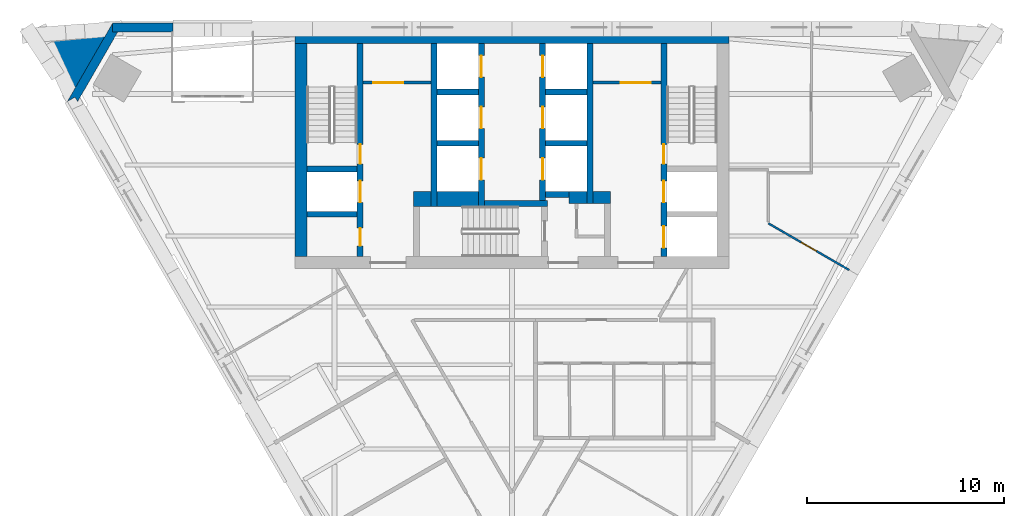
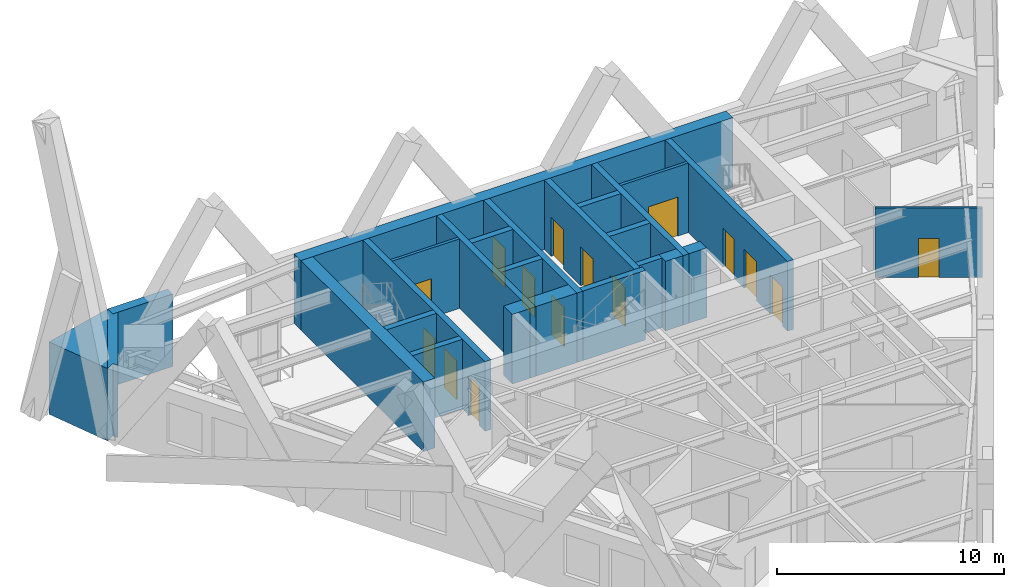
# One storey, part 6 of 9: 26 walls, 15 doors, 15 openings.
"""IFC4 building model written with IfcOpenShell, lengths in metres."""

from ifc_helpers import new_model, si_unit, direction, frame, frame_2d, origin, place, context, subcontext, project, spatial, polyline, rectangle, outline, extrude, material, layer, layer_set, type_object, element, fill, save


model = new_model("IFC4")

# Units and contexts
model_context = context("Model", 3, precision=1e-05, world=origin(), true_north=direction((0.0, 1.0)))
body_context = subcontext(model_context, "Body", "Model", "MODEL_VIEW")
ifc_project = project(units=[si_unit("LENGTHUNIT", "METRE"), si_unit("AREAUNIT", "SQUARE_METRE"), si_unit("VOLUMEUNIT", "CUBIC_METRE"), si_unit("PLANEANGLEUNIT", "RADIAN"), si_unit("MASSUNIT", "GRAM", prefix="KILO")], contexts=[model_context])

# Site, building, storey
site_placement = place(None, origin())
site = spatial("IfcSite", under=ifc_project, at=site_placement, CompositionType="ELEMENT")
building_placement = place(site_placement, origin())
building = spatial("IfcBuilding", under=site, at=building_placement, Name="Aloe Facet Convention Tower", CompositionType="ELEMENT")
storey_placement = place(building_placement, frame((0.0, 0.0, 144.199951171875)))
storey = spatial("IfcBuildingStorey", under=building, at=storey_placement, Name="L36", CompositionType="ELEMENT", Elevation=144.199951171875)

# Wall, opening, door
ifc_material_1 = material(Name="Concrete blockwork partition", Category="masonry")
ifc_layer_1 = layer(ifc_material_1, 0.14990234375)
ifc_layer_set_1 = layer_set([ifc_layer_1], Name="CR-W-PART150")
wall_type_1 = type_object("IfcWallType", Name="CR-W-PART150", PredefinedType="PARTITIONING", material=ifc_layer_set_1)
wall_1_placement = place(storey_placement, frame((72.449951171875, 131.97509765625, 0.0), z_axis=(0.0, 0.0, 1.0), x_axis=(1.0, 0.0, 0.0)))
wall_1 = element("IfcWall", 1, at=wall_1_placement, inside=storey, type_object=wall_type_1, Name="Core partition L36-007", PredefinedType="PARTITIONING", context=body_context, shape_type="SweptSolid", body=[
    extrude(rectangle(XDim=3.449951171875, YDim=0.14990234375, at=frame_2d((1.72509765625, 0.0))), origin(), (0.0, 0.0, 1.0), 3.75),
])
opening_1_placement = place(wall_1_placement, frame((0.52490234375, 0.0, 0.0)))
opening_1 = element("IfcOpeningElement", 2, at=opening_1_placement, cuts=wall_1, Name="Opening L36-CD14", PredefinedType="OPENING", context=body_context, shape_type="SweptSolid", body=[
    extrude(rectangle(XDim=1.5, YDim=2.10009765625, at=frame_2d((0.75, 1.050048828125))), frame((0.0, 0.0849609375, 0.0), z_axis=(0.0, -1.0, 0.0), x_axis=(1.0, 0.0, 0.0)), (0.0, 0.0, 1.0), 0.169921875),
])
ifc_material_2 = material(Name="Steel fire-resisting door set FD60", Category="steel")
door_type_1 = type_object("IfcDoorType", Name="CR-D-REFUGE-1500-FD60-DD", OperationType="DOUBLE_DOOR_DOUBLE_SWING", PredefinedType="DOOR", material=ifc_material_2)
door_1_placement = place(opening_1_placement, origin())
door_1 = element("IfcDoor", 3, at=door_1_placement, inside=storey, type_object=door_type_1, Name="Core door L36-CD14", OperationType="DOUBLE_DOOR_DOUBLE_SWING", OverallHeight=2.10009765625, OverallWidth=1.5, PredefinedType="DOOR", context=body_context, shape_type="SweptSolid", body=[
    extrude(rectangle(XDim=1.5, YDim=2.10009765625, at=frame_2d((0.75, 1.050048828125))), frame((0.0, 0.02490234375, 0.0), z_axis=(0.0, -1.0, 0.0), x_axis=(1.0, 0.0, 0.0)), (0.0, 0.0, 1.0), 0.050048828125),
])
fill(opening_1, door_1)

wall_2_placement = place(storey_placement, frame((84.10009765625, 131.97509765625, 0.0), z_axis=(0.0, 0.0, 1.0), x_axis=(1.0, 0.0, 0.0)))
wall_2 = element("IfcWall", 4, at=wall_2_placement, inside=storey, type_object=wall_type_1, Name="Core partition L36-025", PredefinedType="PARTITIONING", context=body_context, shape_type="SweptSolid", body=[
    extrude(rectangle(XDim=3.449951171875, YDim=0.14990234375, at=frame_2d((1.72509765625, 0.0))), origin(), (0.0, 0.0, 1.0), 3.75),
])
opening_2_placement = place(wall_2_placement, frame((1.425048828125, 0.0, 0.0)))
opening_2 = element("IfcOpeningElement", 5, at=opening_2_placement, cuts=wall_2, Name="Opening L36-CD13", PredefinedType="OPENING", context=body_context, shape_type="SweptSolid", body=[
    extrude(rectangle(XDim=1.5, YDim=2.10009765625, at=frame_2d((0.75, 1.050048828125))), frame((0.0, 0.0849609375, 0.0), z_axis=(0.0, -1.0, 0.0), x_axis=(1.0, 0.0, 0.0)), (0.0, 0.0, 1.0), 0.169921875),
])
door_2_placement = place(opening_2_placement, origin())
door_2 = element("IfcDoor", 6, at=door_2_placement, inside=storey, type_object=door_type_1, Name="Core door L36-CD13", OperationType="DOUBLE_DOOR_DOUBLE_SWING", OverallHeight=2.10009765625, OverallWidth=1.5, PredefinedType="DOOR", context=body_context, shape_type="SweptSolid", body=[
    extrude(rectangle(XDim=1.5, YDim=2.10009765625, at=frame_2d((0.75, 1.050048828125))), frame((0.0, 0.02490234375, 0.0), z_axis=(0.0, -1.0, 0.0), x_axis=(1.0, 0.0, 0.0)), (0.0, 0.0, 1.0), 0.050048828125),
])
fill(opening_2, door_2)

# Walls
ifc_material_3 = material(Name="Concrete C60/75", Category="concrete")
ifc_layer_2 = layer(ifc_material_3, 0.300048828125)
ifc_layer_set_2 = layer_set([ifc_layer_2], Name="CR-W-RC300-C6075")
wall_type_2 = type_object("IfcWallType", Name="CR-W-RC300-C6075", PredefinedType="SOLIDWALL", material=ifc_layer_set_2)
for number, where, z_axis, x_axis, name in (
    (7, (69.60009765625, 127.60009765625, 0.0), (0.0, 0.0, 1.0), (1.0, 0.0, 0.0), "Core wall L36-004"),
    (8, (69.60009765625, 125.300048828125, 0.0), (0.0, 0.0, 1.0), (1.0, 0.0, 0.0), "Core wall L36-005"),
):
    element("IfcWall", number, at=place(storey_placement, frame(where, z_axis=z_axis, x_axis=x_axis)), inside=storey, type_object=wall_type_2, Name=name, PredefinedType="SOLIDWALL", context=body_context, shape_type="SweptSolid", body=[
        extrude(rectangle(XDim=2.5498046875, YDim=0.300048828125, at=frame_2d((1.27490234375, 0.0))), origin(), (0.0, 0.0, 1.0), 3.75),
    ])

# Wall, openings, doors
wall_3_placement = place(storey_placement, frame((72.300048828125, 133.949951171875, 0.0), z_axis=(0.0, 0.0, 1.0), x_axis=(0.0, -1.0, 0.0)))
wall_3 = element("IfcWall", 9, at=wall_3_placement, inside=storey, type_object=wall_type_2, Name="Core wall L36-006", PredefinedType="SOLIDWALL", context=body_context, shape_type="SweptSolid", body=[
    extrude(rectangle(XDim=10.800048828125, YDim=0.300048828125, at=frame_2d((5.39990234375, 0.0))), origin(), (0.0, 0.0, 1.0), 3.75),
])
opening_3_placement = place(wall_3_placement, frame((6.949951171875, 0.0, 0.0)))
opening_3 = element("IfcOpeningElement", 10, at=opening_3_placement, cuts=wall_3, Name="Opening LD-FF1-L36", PredefinedType="OPENING", context=body_context, shape_type="SweptSolid", body=[
    extrude(rectangle(XDim=1.10009765625, YDim=2.10009765625, at=frame_2d((0.550048828125, 1.050048828125))), frame((0.0, 0.16015625, 0.0), z_axis=(0.0, -1.0, 0.0), x_axis=(1.0, 0.0, 0.0)), (0.0, 0.0, 1.0), 0.320068359375),
])
opening_4_placement = place(wall_3_placement, frame((9.35009765625, 0.0, 0.0)))
opening_4 = element("IfcOpeningElement", 11, at=opening_4_placement, cuts=wall_3, Name="Opening L36-CD15", PredefinedType="OPENING", context=body_context, shape_type="SweptSolid", body=[
    extrude(rectangle(XDim=0.89990234375, YDim=2.10009765625, at=frame_2d((0.449951171875, 1.050048828125))), frame((0.0, 0.16015625, 0.0), z_axis=(0.0, -1.0, 0.0), x_axis=(1.0, 0.0, 0.0)), (0.0, 0.0, 1.0), 0.320068359375),
])
opening_5_placement = place(wall_3_placement, frame((5.10009765625, 0.0, 0.0)))
opening_5 = element("IfcOpeningElement", 12, at=opening_5_placement, cuts=wall_3, Name="Opening L36-CD16", PredefinedType="OPENING", context=body_context, shape_type="SweptSolid", body=[
    extrude(rectangle(XDim=1.0, YDim=2.10009765625, at=frame_2d((0.5, 1.050048828125))), frame((0.0, 0.16015625, 0.0), z_axis=(0.0, -1.0, 0.0), x_axis=(1.0, 0.0, 0.0)), (0.0, 0.0, 1.0), 0.320068359375),
])
ifc_material_4 = material(Name="Steel fire-resisting door set FD60", Category="steel")
door_type_2 = type_object("IfcDoorType", Name="CR-D-ROOM-900-FD60-SLEFT", OperationType="SINGLE_SWING_LEFT", PredefinedType="DOOR", material=ifc_material_4)
door_3_placement = place(opening_4_placement, origin())
door_3 = element("IfcDoor", 13, at=door_3_placement, inside=storey, type_object=door_type_2, Name="Core door L36-CD15", OperationType="SINGLE_SWING_LEFT", OverallHeight=2.10009765625, OverallWidth=0.89990234375, PredefinedType="DOOR", context=body_context, shape_type="SweptSolid", body=[
    extrude(rectangle(XDim=0.89990234375, YDim=2.10009765625, at=frame_2d((0.449951171875, 1.050048828125))), frame((0.0, 0.02490234375, 0.0), z_axis=(0.0, -1.0, 0.0), x_axis=(1.0, 0.0, 0.0)), (0.0, 0.0, 1.0), 0.050048828125),
])
fill(opening_4, door_3)
ifc_material_5 = material(Name="Steel fire-resisting door set FD120", Category="steel")
door_type_3 = type_object("IfcDoorType", Name="CR-D-STAIR-1000-FD120-SRIGHT", OperationType="SINGLE_SWING_RIGHT", PredefinedType="DOOR", material=ifc_material_5)
door_4_placement = place(opening_5_placement, origin())
door_4 = element("IfcDoor", 14, at=door_4_placement, inside=storey, type_object=door_type_3, Name="Core door L36-CD16", OperationType="SINGLE_SWING_RIGHT", OverallHeight=2.10009765625, OverallWidth=1.0, PredefinedType="DOOR", context=body_context, shape_type="SweptSolid", body=[
    extrude(rectangle(XDim=1.0, YDim=2.10009765625, at=frame_2d((0.5, 1.050048828125))), frame((0.0, 0.02490234375, 0.0), z_axis=(0.0, -1.0, 0.0), x_axis=(1.0, 0.0, 0.0)), (0.0, 0.0, 1.0), 0.050048828125),
])
fill(opening_5, door_4)
ifc_material_6 = material(Name="Stainless steel sliding landing door", Category="steel")
door_type_4 = type_object("IfcDoorType", Name="CR-LD-1100-FD120-_LEFT", OperationType="SLIDING_TO_LEFT", PredefinedType="DOOR", material=ifc_material_6)
door_5_placement = place(opening_3_placement, origin())
door_5 = element("IfcDoor", 15, at=door_5_placement, inside=storey, type_object=door_type_4, Name="Landing door FF1 L36", OperationType="SLIDING_TO_LEFT", OverallHeight=2.10009765625, OverallWidth=1.10009765625, PredefinedType="DOOR", context=body_context, shape_type="SweptSolid", body=[
    extrude(rectangle(XDim=1.10009765625, YDim=2.10009765625, at=frame_2d((0.550048828125, 1.050048828125))), frame((0.0, 0.02490234375, 0.0), z_axis=(0.0, -1.0, 0.0), x_axis=(1.0, 0.0, 0.0)), (0.0, 0.0, 1.0), 0.050048828125),
])
fill(opening_3, door_5)

# Walls
wall_4_placement = place(storey_placement, frame((76.050048828125, 133.949951171875, 0.0), z_axis=(0.0, 0.0, 1.0), x_axis=(0.0, -1.0, 0.0)))
element("IfcWall", 16, at=wall_4_placement, inside=storey, type_object=wall_type_2, Name="Core wall L36-010", PredefinedType="SOLIDWALL", context=body_context, shape_type="SweptSolid", body=[
    extrude(rectangle(XDim=8.25, YDim=0.300048828125, at=frame_2d((4.125, 0.0))), origin(), (0.0, 0.0, 1.0), 3.75),
])
for number, where, z_axis, x_axis, name in (
    (17, (76.199951171875, 131.5, 0.0), (0.0, 0.0, 1.0), (1.0, 0.0, 0.0), "Core wall L36-011"),
    (18, (76.199951171875, 128.89990234375, 0.0), (0.0, 0.0, 1.0), (1.0, 0.0, 0.0), "Core wall L36-012"),
):
    element("IfcWall", number, at=place(storey_placement, frame(where, z_axis=z_axis, x_axis=x_axis)), inside=storey, type_object=wall_type_2, Name=name, PredefinedType="SOLIDWALL", context=body_context, shape_type="SweptSolid", body=[
        extrude(rectangle(XDim=2.10009765625, YDim=0.300048828125, at=frame_2d((1.050048828125, 0.0))), origin(), (0.0, 0.0, 1.0), 3.75),
    ])

# Wall, openings, doors
wall_5_placement = place(storey_placement, frame((78.449951171875, 133.949951171875, 0.0), z_axis=(0.0, 0.0, 1.0), x_axis=(0.0, -1.0, 0.0)))
wall_5 = element("IfcWall", 19, at=wall_5_placement, inside=storey, type_object=wall_type_2, Name="Core wall L36-014", PredefinedType="SOLIDWALL", context=body_context, shape_type="SweptSolid", body=[
    extrude(rectangle(XDim=8.25, YDim=0.300048828125, at=frame_2d((4.125, 0.0))), origin(), (0.0, 0.0, 1.0), 3.75),
])
opening_6_placement = place(wall_5_placement, frame((0.60009765625, 0.0, 0.0)))
opening_6 = element("IfcOpeningElement", 20, at=opening_6_placement, cuts=wall_5, Name="Opening LD-B1-L36", PredefinedType="OPENING", context=body_context, shape_type="SweptSolid", body=[
    extrude(rectangle(XDim=1.10009765625, YDim=2.10009765625, at=frame_2d((0.550048828125, 1.050048828125))), frame((0.0, 0.16015625, 0.0), z_axis=(0.0, -1.0, 0.0), x_axis=(1.0, 0.0, 0.0)), (0.0, 0.0, 1.0), 0.320068359375),
])
opening_7_placement = place(wall_5_placement, frame((3.199951171875, 0.0, 0.0)))
opening_7 = element("IfcOpeningElement", 21, at=opening_7_placement, cuts=wall_5, Name="Opening LD-B2-L36", PredefinedType="OPENING", context=body_context, shape_type="SweptSolid", body=[
    extrude(rectangle(XDim=1.10009765625, YDim=2.10009765625, at=frame_2d((0.550048828125, 1.050048828125))), frame((0.0, 0.16015625, 0.0), z_axis=(0.0, -1.0, 0.0), x_axis=(1.0, 0.0, 0.0)), (0.0, 0.0, 1.0), 0.320068359375),
])
opening_8_placement = place(wall_5_placement, frame((5.800048828125, 0.0, 0.0)))
opening_8 = element("IfcOpeningElement", 22, at=opening_8_placement, cuts=wall_5, Name="Opening LD-B3-L36", PredefinedType="OPENING", context=body_context, shape_type="SweptSolid", body=[
    extrude(rectangle(XDim=1.10009765625, YDim=2.10009765625, at=frame_2d((0.550048828125, 1.050048828125))), frame((0.0, 0.16015625, 0.0), z_axis=(0.0, -1.0, 0.0), x_axis=(1.0, 0.0, 0.0)), (0.0, 0.0, 1.0), 0.320068359375),
])
ifc_material_7 = material(Name="Stainless steel sliding landing door", Category="steel")
door_type_5 = type_object("IfcDoorType", Name="CR-LD-1100-FD60-RIGHT", OperationType="SLIDING_TO_RIGHT", PredefinedType="DOOR", material=ifc_material_7)
door_6_placement = place(opening_6_placement, origin())
door_6 = element("IfcDoor", 23, at=door_6_placement, inside=storey, type_object=door_type_5, Name="Landing door B1 L36", OperationType="SLIDING_TO_RIGHT", OverallHeight=2.10009765625, OverallWidth=1.10009765625, PredefinedType="DOOR", context=body_context, shape_type="SweptSolid", body=[
    extrude(rectangle(XDim=1.10009765625, YDim=2.10009765625, at=frame_2d((0.550048828125, 1.050048828125))), frame((0.0, 0.02490234375, 0.0), z_axis=(0.0, -1.0, 0.0), x_axis=(1.0, 0.0, 0.0)), (0.0, 0.0, 1.0), 0.050048828125),
])
fill(opening_6, door_6)
door_7_placement = place(opening_7_placement, origin())
door_7 = element("IfcDoor", 24, at=door_7_placement, inside=storey, type_object=door_type_5, Name="Landing door B2 L36", OperationType="SLIDING_TO_RIGHT", OverallHeight=2.10009765625, OverallWidth=1.10009765625, PredefinedType="DOOR", context=body_context, shape_type="SweptSolid", body=[
    extrude(rectangle(XDim=1.10009765625, YDim=2.10009765625, at=frame_2d((0.550048828125, 1.050048828125))), frame((0.0, 0.02490234375, 0.0), z_axis=(0.0, -1.0, 0.0), x_axis=(1.0, 0.0, 0.0)), (0.0, 0.0, 1.0), 0.050048828125),
])
fill(opening_7, door_7)
door_8_placement = place(opening_8_placement, origin())
door_8 = element("IfcDoor", 25, at=door_8_placement, inside=storey, type_object=door_type_5, Name="Landing door B3 L36", OperationType="SLIDING_TO_RIGHT", OverallHeight=2.10009765625, OverallWidth=1.10009765625, PredefinedType="DOOR", context=body_context, shape_type="SweptSolid", body=[
    extrude(rectangle(XDim=1.10009765625, YDim=2.10009765625, at=frame_2d((0.550048828125, 1.050048828125))), frame((0.0, 0.02490234375, 0.0), z_axis=(0.0, -1.0, 0.0), x_axis=(1.0, 0.0, 0.0)), (0.0, 0.0, 1.0), 0.050048828125),
])
fill(opening_8, door_8)

# Wall
wall_6_placement = place(storey_placement, frame((78.60009765625, 125.85009765625, 0.0), z_axis=(0.0, 0.0, 1.0), x_axis=(1.0, 0.0, 0.0)))
element("IfcWall", 26, at=wall_6_placement, inside=storey, type_object=wall_type_2, Name="Core wall L36-015", PredefinedType="SOLIDWALL", context=body_context, shape_type="SweptSolid", body=[
    extrude(rectangle(XDim=3.199951171875, YDim=0.300048828125, at=frame_2d((1.60009765625, 0.0))), origin(), (0.0, 0.0, 1.0), 3.75),
])

# Wall, openings, doors
wall_7_placement = place(storey_placement, frame((81.550048828125, 133.949951171875, 0.0), z_axis=(0.0, 0.0, 1.0), x_axis=(0.0, -1.0, 0.0)))
wall_7 = element("IfcWall", 27, at=wall_7_placement, inside=storey, type_object=wall_type_2, Name="Core wall L36-016", PredefinedType="SOLIDWALL", context=body_context, shape_type="SweptSolid", body=[
    extrude(rectangle(XDim=7.949951171875, YDim=0.300048828125, at=frame_2d((3.97509765625, 0.0))), origin(), (0.0, 0.0, 1.0), 3.75),
])
opening_9_placement = place(wall_7_placement, frame((0.60009765625, 0.0, 0.0)))
opening_9 = element("IfcOpeningElement", 28, at=opening_9_placement, cuts=wall_7, Name="Opening LD-B4-L36", PredefinedType="OPENING", context=body_context, shape_type="SweptSolid", body=[
    extrude(rectangle(XDim=1.10009765625, YDim=2.10009765625, at=frame_2d((0.550048828125, 1.050048828125))), frame((0.0, 0.16015625, 0.0), z_axis=(0.0, -1.0, 0.0), x_axis=(1.0, 0.0, 0.0)), (0.0, 0.0, 1.0), 0.320068359375),
])
opening_10_placement = place(wall_7_placement, frame((3.199951171875, 0.0, 0.0)))
opening_10 = element("IfcOpeningElement", 29, at=opening_10_placement, cuts=wall_7, Name="Opening LD-B5-L36", PredefinedType="OPENING", context=body_context, shape_type="SweptSolid", body=[
    extrude(rectangle(XDim=1.10009765625, YDim=2.10009765625, at=frame_2d((0.550048828125, 1.050048828125))), frame((0.0, 0.16015625, 0.0), z_axis=(0.0, -1.0, 0.0), x_axis=(1.0, 0.0, 0.0)), (0.0, 0.0, 1.0), 0.320068359375),
])
opening_11_placement = place(wall_7_placement, frame((5.800048828125, 0.0, 0.0)))
opening_11 = element("IfcOpeningElement", 30, at=opening_11_placement, cuts=wall_7, Name="Opening LD-B6-L36", PredefinedType="OPENING", context=body_context, shape_type="SweptSolid", body=[
    extrude(rectangle(XDim=1.10009765625, YDim=2.10009765625, at=frame_2d((0.550048828125, 1.050048828125))), frame((0.0, 0.16015625, 0.0), z_axis=(0.0, -1.0, 0.0), x_axis=(1.0, 0.0, 0.0)), (0.0, 0.0, 1.0), 0.320068359375),
])
ifc_material_8 = material(Name="Stainless steel sliding landing door", Category="steel")
door_type_6 = type_object("IfcDoorType", Name="CR-LD-1100-FD60-_LEFT", OperationType="SLIDING_TO_LEFT", PredefinedType="DOOR", material=ifc_material_8)
door_9_placement = place(opening_9_placement, origin())
door_9 = element("IfcDoor", 31, at=door_9_placement, inside=storey, type_object=door_type_6, Name="Landing door B4 L36", OperationType="SLIDING_TO_LEFT", OverallHeight=2.10009765625, OverallWidth=1.10009765625, PredefinedType="DOOR", context=body_context, shape_type="SweptSolid", body=[
    extrude(rectangle(XDim=1.10009765625, YDim=2.10009765625, at=frame_2d((0.550048828125, 1.050048828125))), frame((0.0, 0.02490234375, 0.0), z_axis=(0.0, -1.0, 0.0), x_axis=(1.0, 0.0, 0.0)), (0.0, 0.0, 1.0), 0.050048828125),
])
fill(opening_9, door_9)
door_10_placement = place(opening_10_placement, origin())
door_10 = element("IfcDoor", 32, at=door_10_placement, inside=storey, type_object=door_type_6, Name="Landing door B5 L36", OperationType="SLIDING_TO_LEFT", OverallHeight=2.10009765625, OverallWidth=1.10009765625, PredefinedType="DOOR", context=body_context, shape_type="SweptSolid", body=[
    extrude(rectangle(XDim=1.10009765625, YDim=2.10009765625, at=frame_2d((0.550048828125, 1.050048828125))), frame((0.0, 0.02490234375, 0.0), z_axis=(0.0, -1.0, 0.0), x_axis=(1.0, 0.0, 0.0)), (0.0, 0.0, 1.0), 0.050048828125),
])
fill(opening_10, door_10)
door_11_placement = place(opening_11_placement, origin())
door_11 = element("IfcDoor", 33, at=door_11_placement, inside=storey, type_object=door_type_6, Name="Landing door B6 L36", OperationType="SLIDING_TO_LEFT", OverallHeight=2.10009765625, OverallWidth=1.10009765625, PredefinedType="DOOR", context=body_context, shape_type="SweptSolid", body=[
    extrude(rectangle(XDim=1.10009765625, YDim=2.10009765625, at=frame_2d((0.550048828125, 1.050048828125))), frame((0.0, 0.02490234375, 0.0), z_axis=(0.0, -1.0, 0.0), x_axis=(1.0, 0.0, 0.0)), (0.0, 0.0, 1.0), 0.050048828125),
])
fill(opening_11, door_11)

# Walls
for number, where, z_axis, x_axis, name in (
    (34, (81.699951171875, 131.5, 0.0), (0.0, 0.0, 1.0), (1.0, 0.0, 0.0), "Core wall L36-018"),
    (35, (81.699951171875, 128.89990234375, 0.0), (0.0, 0.0, 1.0), (1.0, 0.0, 0.0), "Core wall L36-019"),
):
    element("IfcWall", number, at=place(storey_placement, frame(where, z_axis=z_axis, x_axis=x_axis)), inside=storey, type_object=wall_type_2, Name=name, PredefinedType="SOLIDWALL", context=body_context, shape_type="SweptSolid", body=[
        extrude(rectangle(XDim=2.10009765625, YDim=0.300048828125, at=frame_2d((1.050048828125, 0.0))), origin(), (0.0, 0.0, 1.0), 3.75),
    ])
wall_8_placement = place(storey_placement, frame((81.699951171875, 126.300048828125, 0.0), z_axis=(0.0, 0.0, 1.0), x_axis=(1.0, 0.0, 0.0)))
element("IfcWall", 36, at=wall_8_placement, inside=storey, type_object=wall_type_2, Name="Core wall L36-020", PredefinedType="SOLIDWALL", context=body_context, shape_type="SweptSolid", body=[
    extrude(rectangle(XDim=1.199951171875, YDim=0.300048828125, at=frame_2d((0.60009765625, 0.0))), origin(), (0.0, 0.0, 1.0), 3.75),
])
wall_9_placement = place(storey_placement, frame((83.949951171875, 133.949951171875, 0.0), z_axis=(0.0, 0.0, 1.0), x_axis=(0.0, -1.0, 0.0)))
element("IfcWall", 37, at=wall_9_placement, inside=storey, type_object=wall_type_2, Name="Core wall L36-024", PredefinedType="SOLIDWALL", context=body_context, shape_type="SweptSolid", body=[
    extrude(rectangle(XDim=8.099853515625, YDim=0.300048828125, at=frame_2d((4.0498046875, 0.0))), origin(), (0.0, 0.0, 1.0), 3.75),
])

# Wall, openings, doors
wall_10_placement = place(storey_placement, frame((87.699951171875, 133.949951171875, 0.0), z_axis=(0.0, 0.0, 1.0), x_axis=(0.0, -1.0, 0.0)))
wall_10 = element("IfcWall", 38, at=wall_10_placement, inside=storey, type_object=wall_type_2, Name="Core wall L36-028", PredefinedType="SOLIDWALL", context=body_context, shape_type="SweptSolid", body=[
    extrude(rectangle(XDim=10.800048828125, YDim=0.300048828125, at=frame_2d((5.39990234375, 0.0))), origin(), (0.0, 0.0, 1.0), 3.75),
])
opening_12_placement = place(wall_10_placement, frame((6.949951171875, 0.0, 0.0)))
opening_12 = element("IfcOpeningElement", 39, at=opening_12_placement, cuts=wall_10, Name="Opening LD-FF2-L36", PredefinedType="OPENING", context=body_context, shape_type="SweptSolid", body=[
    extrude(rectangle(XDim=1.10009765625, YDim=2.10009765625, at=frame_2d((0.550048828125, 1.050048828125))), frame((0.0, 0.16015625, 0.0), z_axis=(0.0, -1.0, 0.0), x_axis=(1.0, 0.0, 0.0)), (0.0, 0.0, 1.0), 0.320068359375),
])
opening_13_placement = place(wall_10_placement, frame((5.10009765625, 0.0, 0.0)))
opening_13 = element("IfcOpeningElement", 40, at=opening_13_placement, cuts=wall_10, Name="Opening L36-CD17", PredefinedType="OPENING", context=body_context, shape_type="SweptSolid", body=[
    extrude(rectangle(XDim=1.0, YDim=2.10009765625, at=frame_2d((0.5, 1.050048828125))), frame((0.0, 0.16015625, 0.0), z_axis=(0.0, -1.0, 0.0), x_axis=(1.0, 0.0, 0.0)), (0.0, 0.0, 1.0), 0.320068359375),
])
opening_14_placement = place(wall_10_placement, frame((9.25, 0.0, 0.0)))
opening_14 = element("IfcOpeningElement", 41, at=opening_14_placement, cuts=wall_10, Name="Opening LD-SV1-L36", PredefinedType="OPENING", context=body_context, shape_type="SweptSolid", body=[
    extrude(rectangle(XDim=1.10009765625, YDim=2.10009765625, at=frame_2d((0.550048828125, 1.050048828125))), frame((0.0, 0.16015625, 0.0), z_axis=(0.0, -1.0, 0.0), x_axis=(1.0, 0.0, 0.0)), (0.0, 0.0, 1.0), 0.320068359375),
])
ifc_material_9 = material(Name="Steel fire-resisting door set FD120", Category="steel")
door_type_7 = type_object("IfcDoorType", Name="CR-D-STAIR-1000-FD120-SLEFT", OperationType="SINGLE_SWING_LEFT", PredefinedType="DOOR", material=ifc_material_9)
door_12_placement = place(opening_13_placement, origin())
door_12 = element("IfcDoor", 42, at=door_12_placement, inside=storey, type_object=door_type_7, Name="Core door L36-CD17", OperationType="SINGLE_SWING_LEFT", OverallHeight=2.10009765625, OverallWidth=1.0, PredefinedType="DOOR", context=body_context, shape_type="SweptSolid", body=[
    extrude(rectangle(XDim=1.0, YDim=2.10009765625, at=frame_2d((0.5, 1.050048828125))), frame((0.0, 0.02490234375, 0.0), z_axis=(0.0, -1.0, 0.0), x_axis=(1.0, 0.0, 0.0)), (0.0, 0.0, 1.0), 0.050048828125),
])
fill(opening_13, door_12)
door_13_placement = place(opening_12_placement, origin())
door_13 = element("IfcDoor", 43, at=door_13_placement, inside=storey, type_object=door_type_4, Name="Landing door FF2 L36", OperationType="SLIDING_TO_LEFT", OverallHeight=2.10009765625, OverallWidth=1.10009765625, PredefinedType="DOOR", context=body_context, shape_type="SweptSolid", body=[
    extrude(rectangle(XDim=1.10009765625, YDim=2.10009765625, at=frame_2d((0.550048828125, 1.050048828125))), frame((0.0, 0.02490234375, 0.0), z_axis=(0.0, -1.0, 0.0), x_axis=(1.0, 0.0, 0.0)), (0.0, 0.0, 1.0), 0.050048828125),
])
fill(opening_12, door_13)
door_14_placement = place(opening_14_placement, origin())
door_14 = element("IfcDoor", 44, at=door_14_placement, inside=storey, type_object=door_type_4, Name="Landing door SV1 L36", OperationType="SLIDING_TO_LEFT", OverallHeight=2.10009765625, OverallWidth=1.10009765625, PredefinedType="DOOR", context=body_context, shape_type="SweptSolid", body=[
    extrude(rectangle(XDim=1.10009765625, YDim=2.10009765625, at=frame_2d((0.550048828125, 1.050048828125))), frame((0.0, 0.02490234375, 0.0), z_axis=(0.0, -1.0, 0.0), x_axis=(1.0, 0.0, 0.0)), (0.0, 0.0, 1.0), 0.050048828125),
])
fill(opening_14, door_14)

# Walls
ifc_material_10 = material(Name="Concrete C60/75", Category="concrete")
ifc_layer_3 = layer(ifc_material_10, 0.60009765625)
ifc_layer_set_3 = layer_set([ifc_layer_3], Name="CR-W-RC600-C6075")
wall_type_3 = type_object("IfcWallType", Name="CR-W-RC600-C6075", PredefinedType="SOLIDWALL", material=ifc_layer_set_3)
wall_11_placement = place(storey_placement, frame((69.0, 134.25, 0.0), z_axis=(0.0, 0.0, 1.0), x_axis=(1.0, 0.0, 0.0)))
element("IfcWall", 45, at=wall_11_placement, inside=storey, type_object=wall_type_3, Name="Core wall L36-001", PredefinedType="SOLIDWALL", context=body_context, shape_type="SweptSolid", body=[
    extrude(rectangle(XDim=22.0, YDim=0.60009765625, at=frame_2d((11.0, 0.0))), origin(), (0.0, 0.0, 1.0), 3.75),
])
wall_12_placement = place(storey_placement, frame((69.300048828125, 133.949951171875, 0.0), z_axis=(0.0, 0.0, 1.0), x_axis=(0.0, -1.0, 0.0)))
element("IfcWall", 46, at=wall_12_placement, inside=storey, type_object=wall_type_3, Name="Core wall L36-002", PredefinedType="SOLIDWALL", context=body_context, shape_type="SweptSolid", body=[
    extrude(rectangle(XDim=10.800048828125, YDim=0.60009765625, at=frame_2d((5.39990234375, 0.0))), origin(), (0.0, 0.0, 1.0), 3.75),
])
wall_13_placement = place(storey_placement, frame((82.89990234375, 126.14990234375, 0.0), z_axis=(0.0, 0.0, 1.0), x_axis=(1.0, 0.0, 0.0)))
element("IfcWall", 47, at=wall_13_placement, inside=storey, type_object=wall_type_3, Name="Core wall L36-021", PredefinedType="SOLIDWALL", context=body_context, shape_type="SweptSolid", body=[
    extrude(rectangle(XDim=0.900146484375, YDim=0.60009765625, at=frame_2d((0.4501953125, 0.0))), origin(), (0.0, 0.0, 1.0), 3.75),
])
wall_14_placement = place(storey_placement, frame((84.10009765625, 126.14990234375, 0.0), z_axis=(0.0, 0.0, 1.0), x_axis=(1.0, 0.0, 0.0)))
element("IfcWall", 48, at=wall_14_placement, inside=storey, type_object=wall_type_3, Name="Core wall L36-026", PredefinedType="SOLIDWALL", context=body_context, shape_type="SweptSolid", body=[
    extrude(rectangle(XDim=0.89990234375, YDim=0.60009765625, at=frame_2d((0.449951171875, 0.0))), origin(), (0.0, 0.0, 1.0), 3.75),
])
ifc_material_11 = material(Name="Concrete C60/75", Category="concrete")
ifc_layer_4 = layer(ifc_material_11, 0.75)
ifc_layer_set_4 = layer_set([ifc_layer_4], Name="CR-W-RC750-C6075")
wall_type_4 = type_object("IfcWallType", Name="CR-W-RC750-C6075", PredefinedType="SOLIDWALL", material=ifc_layer_set_4)
wall_15_placement = place(storey_placement, frame((75.0, 126.074951171875, 0.0), z_axis=(0.0, 0.0, 1.0), x_axis=(1.0, 0.0, 0.0)))
element("IfcWall", 49, at=wall_15_placement, inside=storey, type_object=wall_type_4, Name="Core wall L36-008", PredefinedType="SOLIDWALL", context=body_context, shape_type="SweptSolid", body=[
    extrude(rectangle(XDim=0.89990234375, YDim=0.75, at=frame_2d((0.449951171875, 0.0))), origin(), (0.0, 0.0, 1.0), 3.75),
])
wall_16_placement = place(storey_placement, frame((76.199951171875, 126.074951171875, 0.0), z_axis=(0.0, 0.0, 1.0), x_axis=(1.0, 0.0, 0.0)))
element("IfcWall", 50, at=wall_16_placement, inside=storey, type_object=wall_type_4, Name="Core wall L36-013", PredefinedType="SOLIDWALL", context=body_context, shape_type="SweptSolid", body=[
    extrude(rectangle(XDim=2.10009765625, YDim=0.75, at=frame_2d((1.050048828125, 0.0))), origin(), (0.0, 0.0, 1.0), 3.75),
])
ifc_material_12 = material(Name="Precast concrete C40/50", Category="concrete")
ifc_layer_5 = layer(ifc_material_12, 0.449951171875)
ifc_layer_set_5 = layer_set([ifc_layer_5], Name="EV-WALL-PIER")
wall_type_5 = type_object("IfcWallType", Name="EV-WALL-PIER", PredefinedType="SOLIDWALL", material=ifc_layer_set_5)
wall_17_placement = place(storey_placement, frame((0.0, 0.0, -0.14990234375)))
element("IfcWall", 51, at=wall_17_placement, inside=storey, type_object=wall_type_5, Name="EP-L36-A", PredefinedType="SOLIDWALL", context=body_context, shape_type="SweptSolid", body=[
    extrude(outline(polyline([(59.7568359375, 135.0), (59.7568359375, 134.550048828125), (60.016845703125, 134.550048828125), (57.9765625, 131.016357421875), (57.8466796875, 131.2412109375), (57.45703125, 131.016357421875), (59.7568359375, 135.0)])), origin(), (0.0, 0.0, 1.0), 3.89990234375),
])
ifc_material_13 = material(Name="Precast concrete C40/50", Category="concrete")
ifc_layer_6 = layer(ifc_material_13, 3.947998046875)
ifc_layer_set_6 = layer_set([ifc_layer_6], Name="EV-WALL-SPINE")
wall_type_6 = type_object("IfcWallType", Name="EV-WALL-SPINE", PredefinedType="SOLIDWALL", material=ifc_layer_set_6)
wall_18_placement = place(storey_placement, frame((0.0, 0.0, -0.14990234375)))
element("IfcWall", 52, at=wall_18_placement, inside=storey, type_object=wall_type_6, Name="SP-NW-L36", PredefinedType="SOLIDWALL", context=body_context, shape_type="SweptSolid", body=[
    extrude(outline(polyline([(59.7568359375, 135.0), (56.24755859375, 134.10009765625), (57.45703125, 131.016357421875), (59.7568359375, 135.0)])), origin(), (0.0, 0.0, 1.0), 3.89990234375),
])
ifc_material_14 = material(Name="Precast concrete C40/50", Category="concrete")
ifc_layer_7 = layer(ifc_material_14, 0.449951171875)
ifc_layer_set_7 = layer_set([ifc_layer_7], Name="EV-WALL-STONE")
wall_type_7 = type_object("IfcWallType", Name="EV-WALL-STONE", PredefinedType="SOLIDWALL", material=ifc_layer_set_7)
wall_19_placement = place(storey_placement, frame((62.817626953125, 134.77490234375, -0.14990234375), z_axis=(0.0, 0.0, 1.0), x_axis=(-1.0, 0.0, 0.0)))
element("IfcWall", 53, at=wall_19_placement, inside=storey, type_object=wall_type_7, Name="EW-L36-N02", PredefinedType="SOLIDWALL", context=body_context, shape_type="SweptSolid", body=[
    extrude(outline(polyline([(3.060791015625, 3.89990234375), (3.060791015625, 0.0), (0.0, 0.0), (0.0, 3.89990234375), (3.060791015625, 3.89990234375)])), frame((0.0, 0.22509765625, 0.0), z_axis=(0.0, -1.0, 0.0), x_axis=(1.0, 0.0, 0.0)), (0.0, 0.0, 1.0), 0.449951171875),
])

# Wall, opening, door
ifc_material_15 = material(Name="Gypsum board partition on steel studs", Category="steel")
ifc_layer_8 = layer(ifc_material_15, 0.10009765625)
ifc_layer_set_8 = layer_set([ifc_layer_8], Name="IN-W-PART")
wall_type_8 = type_object("IfcWallType", Name="IN-W-PART", PredefinedType="PARTITIONING", material=ifc_layer_set_8)
wall_20_placement = place(storey_placement, frame((93.0, 124.838623046875, 0.0), z_axis=(0.0, 0.0, 1.0), x_axis=(0.866028145587, -0.499995251029, 0.0)))
wall_20 = element("IfcWall", 54, at=wall_20_placement, inside=storey, type_object=wall_type_8, Name="Partition L36-W040", PredefinedType="PARTITIONING", context=body_context, shape_type="SweptSolid", body=[
    extrude(rectangle(XDim=4.7255859375, YDim=0.10009765625, at=frame_2d((2.36279296875, 0.0))), origin(), (0.0, 0.0, 1.0), 3.75),
])
opening_15_placement = place(wall_20_placement, frame((1.912841796875, 0.0, 0.0)))
opening_15 = element("IfcOpeningElement", 55, at=opening_15_placement, cuts=wall_20, Name="Opening L36-014", PredefinedType="OPENING", context=body_context, shape_type="SweptSolid", body=[
    extrude(rectangle(XDim=0.89990234375, YDim=2.10009765625, at=frame_2d((0.449951171875, 1.050048828125))), frame((0.0, 0.06005859375, 0.0), z_axis=(0.0, -1.0, 0.0), x_axis=(1.0, 0.0, 0.0)), (0.0, 0.0, 1.0), 0.1201171875),
])
ifc_material_16 = material(Name="Timber door", Category="wood")
door_type_8 = type_object("IfcDoorType", Name="IN-OFF-D-ROOM", OperationType="SINGLE_SWING_LEFT", PredefinedType="DOOR", material=ifc_material_16)
door_15_placement = place(opening_15_placement, origin())
door_15 = element("IfcDoor", 56, at=door_15_placement, inside=storey, type_object=door_type_8, Name="Door L36-014", OperationType="SINGLE_SWING_LEFT", OverallHeight=2.10009765625, OverallWidth=0.89990234375, PredefinedType="DOOR", context=body_context, shape_type="SweptSolid", body=[
    extrude(rectangle(XDim=0.89990234375, YDim=2.10009765625, at=frame_2d((0.449951171875, 1.050048828125))), frame((0.0, 0.02490234375, 0.0), z_axis=(0.0, -1.0, 0.0), x_axis=(1.0, 0.0, 0.0)), (0.0, 0.0, 1.0), 0.050048828125),
])
fill(opening_15, door_15)

save(model, "model.ifc")
